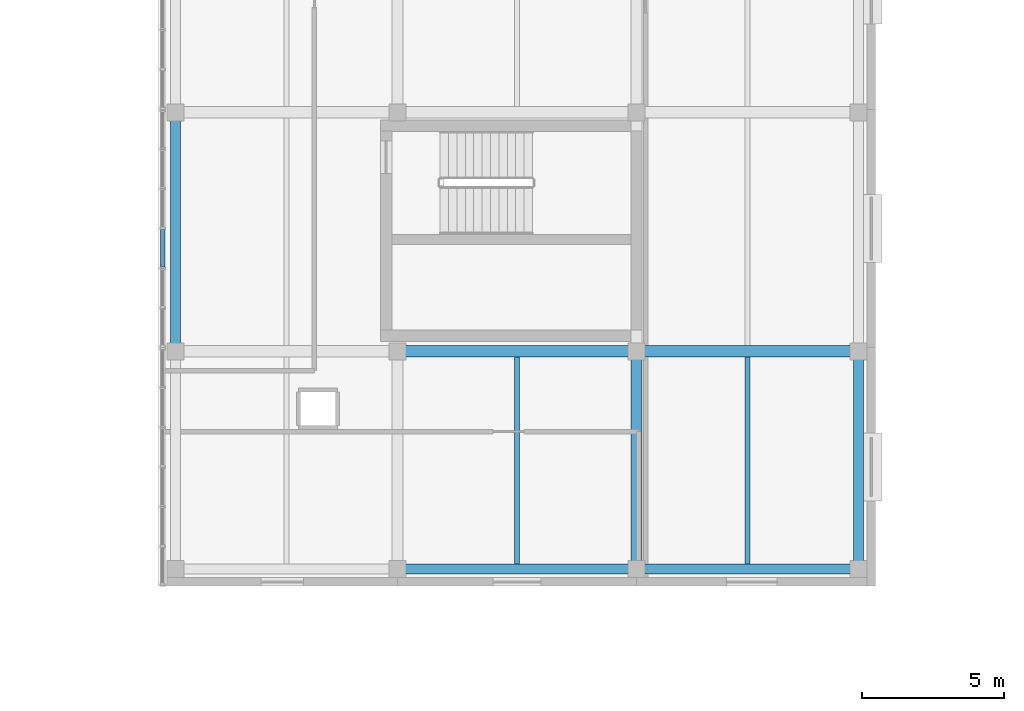
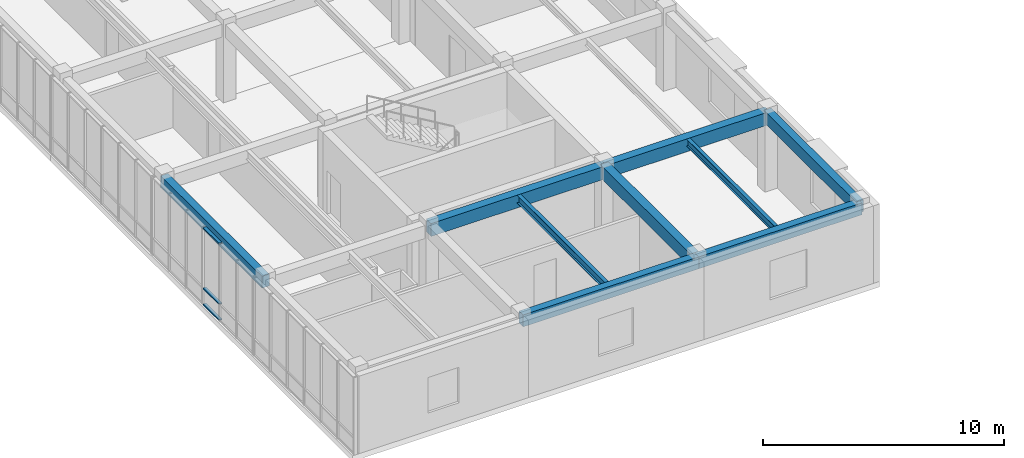
# One storey, part 28 of 123: 9 beams, 3 members, 1 element without a shape of its own.
"""IFC4 building model written with IfcOpenShell, lengths in metres."""

import ifcopenshell
import ifcopenshell.guid

model = None  # the IFC model being written
_history = None  # IfcOwnerHistory: only IFC2X3 demands one
_inside = {}  # id of a spatial element -> (the spatial element, [elements in it])
_under = {}  # id of a project, library or spatial element -> (it, [spatial elements below it])
_declared = {}  # id of a project -> (the project, [libraries it declares])
_typed = {}  # id of a type object -> (the type object, [elements of that type])
_made_of = {}  # id of a material, layer set ... -> (it, [elements and type objects made of it])


def new_model(schema):
    """Start an empty IFC model of exactly this schema.

    Asked for "IFC4X3", IfcOpenShell would pick the latest addendum, in which some entities
    have other attributes; the version numbers below select the first issue.
    IFC2X3 requires an IfcOwnerHistory on every rooted entity: one is made here for all.
    """
    global model, _history
    if schema == "IFC4X3":
        model = ifcopenshell.file(schema_version=(4, 3, 0, 0))
    else:
        model = ifcopenshell.file(schema=schema)
    _inside.clear()
    _under.clear()
    _declared.clear()
    _typed.clear()
    _made_of.clear()
    _history = None
    if model.schema == "IFC2X3":
        org = make("IfcOrganization", Name="unknown")
        user = make(
            "IfcPersonAndOrganization",
            ThePerson=make("IfcPerson", FamilyName="unknown"),
            TheOrganization=org,
        )
        app = make(
            "IfcApplication",
            ApplicationDeveloper=org,
            Version="unknown",
            ApplicationFullName="unknown",
            ApplicationIdentifier="unknown",
        )
        _history = make(
            "IfcOwnerHistory",
            OwningUser=user,
            OwningApplication=app,
            ChangeAction="ADDED",
            CreationDate=0,
        )
    return model


def make(cls, **values):
    """One entity of the class cls with the attributes given. An attribute that is None is left unset."""
    return model.create_entity(
        cls, **{name: value for name, value in values.items() if value is not None}
    )


def rooted(cls, **values):
    """An entity with a GlobalId (a new one), such as an element, a storey or a relation."""
    return make(cls, GlobalId=ifcopenshell.guid.new(), OwnerHistory=_history, **values)


def si_unit(unit_type, name, prefix=None):
    """IfcSIUnit, for example si_unit("LENGTHUNIT", "METRE", prefix="MILLI")."""
    return make("IfcSIUnit", UnitType=unit_type, Prefix=prefix, Name=name)


def assignment(units):
    """IfcUnitAssignment: the units of a project."""
    return None if units is None else make("IfcUnitAssignment", Units=units)


def point(xyz):
    """IfcCartesianPoint."""
    return None if xyz is None else make("IfcCartesianPoint", Coordinates=xyz)


def direction(xyz):
    """IfcDirection."""
    return None if xyz is None else make("IfcDirection", DirectionRatios=xyz)


def frame(location, z_axis=None, x_axis=None):
    """IfcAxis2Placement3D, a coordinate frame: its origin and axes. An axis left out is left unset."""
    return make(
        "IfcAxis2Placement3D",
        Location=point(location),
        Axis=direction(z_axis),
        RefDirection=direction(x_axis),
    )


def frame_2d(location, x_axis=None):
    """IfcAxis2Placement2D, a coordinate frame in the plane: its origin and x axis."""
    return make(
        "IfcAxis2Placement2D", Location=point(location), RefDirection=direction(x_axis)
    )


def origin():
    """The frame at (0, 0, 0) with its axes left unset."""
    return frame((0.0, 0.0, 0.0))


def origin_2d():
    """The frame at (0, 0) in the plane with its x axis left unset."""
    return frame_2d((0.0, 0.0))


def place(relative_to, where):
    """IfcLocalPlacement: puts the frame where relative to a parent placement (None: the world)."""
    return make(
        "IfcLocalPlacement", PlacementRelTo=relative_to, RelativePlacement=where
    )


def context(
    kind, dimensions, precision=None, world=None, true_north=None, identifier=None
):
    """IfcGeometricRepresentationContext, for example the 3D "Model" context."""
    return make(
        "IfcGeometricRepresentationContext",
        ContextIdentifier=identifier,
        ContextType=kind,
        CoordinateSpaceDimension=dimensions,
        Precision=precision,
        WorldCoordinateSystem=world,
        TrueNorth=true_north,
    )


def subcontext(parent, identifier, kind, view, scale=None):
    """IfcGeometricRepresentationSubContext, for example "Body" below "Model"."""
    return make(
        "IfcGeometricRepresentationSubContext",
        ContextIdentifier=identifier,
        ContextType=kind,
        ParentContext=parent,
        TargetScale=scale,
        TargetView=view,
    )


def project(units=None, contexts=None):
    """IfcProject with its units and contexts."""
    return rooted(
        "IfcProject",
        Name="project",
        RepresentationContexts=contexts,
        UnitsInContext=assignment(units),
    )


def spatial(cls, under=None, at=None, **own):
    """A site, building, storey or space (cls), placed at a placement, below another one or the project."""
    s = rooted(cls, ObjectPlacement=at, **own)
    if under is not None:
        _under.setdefault(under.id(), (under, []))[1].append(s)
    return s


def profile(cls, at=None, kind="AREA", **sizes):
    """A parametric profile (cls). Its sizes go by their IFC names, for example OverallWidth=200.0."""
    return make(cls, ProfileType=kind, Position=at, **sizes)


def rectangle(**sizes):
    """IfcRectangleProfileDef."""
    return profile("IfcRectangleProfileDef", **sizes)


def hollow_rectangle(**sizes):
    """IfcRectangleHollowProfileDef."""
    return profile("IfcRectangleHollowProfileDef", **sizes)


def i_section(**sizes):
    """IfcIShapeProfileDef."""
    return profile("IfcIShapeProfileDef", **sizes)


def extrude(swept, where, along, depth):
    """IfcExtrudedAreaSolid: the profile swept, set in the frame where, extruded along a direction by depth."""
    return make(
        "IfcExtrudedAreaSolid",
        SweptArea=swept,
        Position=where,
        ExtrudedDirection=direction(along),
        Depth=depth,
    )


def shape(context_of_items, identifier, shape_type, items):
    """IfcShapeRepresentation: the items that make up one representation, for example the "Body"."""
    return make(
        "IfcShapeRepresentation",
        ContextOfItems=context_of_items,
        RepresentationIdentifier=identifier,
        RepresentationType=shape_type,
        Items=items,
    )


def material(Name=None, Category=None):
    """IfcMaterial."""
    return make("IfcMaterial", Name=Name, Category=Category)


def layer(
    of_material, thickness, ventilated=None, Name=None, Category=None, Priority=None
):
    """IfcMaterialLayer: one layer of a wall or slab, of a material (None: an air gap)."""
    return make(
        "IfcMaterialLayer",
        Material=of_material,
        LayerThickness=thickness,
        IsVentilated=ventilated,
        Name=Name,
        Category=Category,
        Priority=Priority,
    )


def layer_set(layers, Name=None):
    """IfcMaterialLayerSet."""
    return make("IfcMaterialLayerSet", MaterialLayers=layers, LayerSetName=Name)


def material_profile(
    of_material, cross_section, Name=None, Category=None, Priority=None
):
    """IfcMaterialProfile: a cross section and its material."""
    return make(
        "IfcMaterialProfile",
        Name=Name,
        Material=of_material,
        Profile=cross_section,
        Priority=Priority,
        Category=Category,
    )


def profile_set(profiles, Name=None, composite=None):
    """IfcMaterialProfileSet."""
    return make(
        "IfcMaterialProfileSet",
        Name=Name,
        MaterialProfiles=profiles,
        CompositeProfile=composite,
    )


def made_of(thing, what):
    """Note that an element or type object is made of a material, layer set ...; save() writes the relation."""
    if what is not None:
        _made_of.setdefault(what.id(), (what, []))[1].append(thing)
    return thing


def type_object(cls, material=None, **own):
    """A type object (cls), such as IfcWallType, which elements share."""
    return made_of(rooted(cls, **own), material)


def element(
    cls,
    number,
    at=None,
    inside=None,
    cuts=None,
    type_object=None,
    material=None,
    context=None,
    identifier="Body",
    shape_type=None,
    held_by="IfcProductDefinitionShape",
    body=None,
    shapes=None,
    **own,
):
    """One element of the class cls, such as IfcWall. Its Tag is "e" and its number.

    at: its placement. inside: the storey or other place that contains it. cuts: it is an
    opening in that element (IfcRelVoidsElement). A single representation is given by context,
    identifier, shape_type and body (its items); several are given by shapes. held_by: the class
    of the entity that holds the representations. save() writes the other relations.
    """
    e = rooted(cls, Tag="e%d" % number, ObjectPlacement=at, **own)
    if body is not None:
        shapes = [shape(context, identifier, shape_type, body)]
    if shapes is not None:
        e.Representation = make(held_by, Representations=shapes)
    if inside is not None:
        _inside.setdefault(inside.id(), (inside, []))[1].append(e)
    if cuts is not None:
        rooted(
            "IfcRelVoidsElement", RelatingBuildingElement=cuts, RelatedOpeningElement=e
        )
    if type_object is not None:
        _typed.setdefault(type_object.id(), (type_object, []))[1].append(e)
    return made_of(e, material)


def aggregate(whole, parts):
    """IfcRelAggregates: a whole, such as a stair, and the parts it consists of."""
    return rooted("IfcRelAggregates", RelatingObject=whole, RelatedObjects=parts)


def save(model, path):
    """Write the relations noted so far, then the file.

    IfcRelAggregates (storeys below a building ...), IfcRelContainedInSpatialStructure (elements
    in a storey), IfcRelDefinesByType, IfcRelAssociatesMaterial and IfcRelDeclares: one each for
    every whole, place, type object, material and project.
    """
    for whole, parts in _under.values():
        aggregate(whole, parts)
    for where, things in _inside.values():
        rooted(
            "IfcRelContainedInSpatialStructure",
            RelatedElements=things,
            RelatingStructure=where,
        )
    for kind, things in _typed.values():
        rooted("IfcRelDefinesByType", RelatedObjects=things, RelatingType=kind)
    for what, things in _made_of.values():
        rooted("IfcRelAssociatesMaterial", RelatedObjects=things, RelatingMaterial=what)
    for by, libraries in _declared.values():
        rooted("IfcRelDeclares", RelatingContext=by, RelatedDefinitions=libraries)
    model.write(path)


model = new_model("IFC4")

# Units and contexts
model_context = context("Model", 3, precision=1e-05, world=origin(), true_north=direction((0.0, 1.0)))
body_context = subcontext(model_context, "Body", "Model", "MODEL_VIEW")
ifc_project = project(units=[si_unit("LENGTHUNIT", "METRE"), si_unit("AREAUNIT", "SQUARE_METRE"), si_unit("VOLUMEUNIT", "CUBIC_METRE"), si_unit("PLANEANGLEUNIT", "RADIAN"), si_unit("MASSUNIT", "GRAM", prefix="KILO")], contexts=[model_context])

# Site, building, storey
site_placement = place(None, origin())
site = spatial("IfcSite", under=ifc_project, at=site_placement, CompositionType="ELEMENT")
building_placement = place(site_placement, origin())
building = spatial("IfcBuilding", under=site, at=building_placement, Name="Zayran Congress Hotel", CompositionType="ELEMENT")
storey_placement = place(building_placement, frame((0.0, 0.0, 15.0)))
storey = spatial("IfcBuildingStorey", under=building, at=storey_placement, Name="L03", CompositionType="ELEMENT", Elevation=15.0)

# Beams
ifc_material_1 = material(Name="Concrete C40/50", Category="concrete")
ifc_material_profile_1 = material_profile(ifc_material_1, rectangle(XDim=0.39990234375, YDim=0.64990234375, at=origin_2d()), Name="RC 400x650")
ifc_profile_set_1 = profile_set([ifc_material_profile_1], Name="Concrete C40/50")
beam_type_1 = type_object("IfcBeamType", Name="TP-BM-03", PredefinedType="BEAM", material=ifc_profile_set_1)
beam_1_placement = place(storey_placement, frame((117.60009765625, 50.800048828125, 3.594970703125), z_axis=(1.0, 0.0, 0.0), x_axis=(0.0, 1.0, 0.0)))
element("IfcBeam", 1, at=beam_1_placement, inside=storey, type_object=beam_type_1, Name="BM-V4-L03-1495", PredefinedType="BEAM", context=body_context, shape_type="SweptSolid", body=[
    extrude(rectangle(XDim=0.39990234375, YDim=0.64990234375, at=origin_2d()), origin(), (0.0, 0.0, 1.0), 8.39990234375),
])
beam_2_placement = place(storey_placement, frame((126.0, 50.800048828125, 3.594970703125), z_axis=(1.0, 0.0, 0.0), x_axis=(0.0, 1.0, 0.0)))
element("IfcBeam", 2, at=beam_2_placement, inside=storey, type_object=beam_type_1, Name="BM-V4-L03-1496", PredefinedType="BEAM", context=body_context, shape_type="SweptSolid", body=[
    extrude(rectangle(XDim=0.39990234375, YDim=0.64990234375, at=origin_2d()), origin(), (0.0, 0.0, 1.0), 7.800048828125),
])
beam_3_placement = place(storey_placement, frame((126.0, 43.14990234375, 3.594970703125), z_axis=(0.0, 1.0, 0.0), x_axis=(-1.0, 0.0, 0.0)))
element("IfcBeam", 3, at=beam_3_placement, inside=storey, type_object=beam_type_1, Name="BM-V4-L03-1527", PredefinedType="BEAM", context=body_context, shape_type="SweptSolid", body=[
    extrude(rectangle(XDim=0.39990234375, YDim=0.64990234375, at=origin_2d()), origin(), (0.0, 0.0, 1.0), 7.650146484375),
])
ifc_material_profile_2 = material_profile(ifc_material_1, rectangle(XDim=0.35009765625, YDim=0.60009765625, at=origin_2d()), Name="RC 350x600")
ifc_profile_set_2 = profile_set([ifc_material_profile_2], Name="Concrete C40/50")
beam_type_2 = type_object("IfcBeamType", Name="TP-SP-01", PredefinedType="SPANDREL", material=ifc_profile_set_2)
beam_4_placement = place(storey_placement, frame((117.60009765625, 43.14990234375, 3.6201171875), z_axis=(1.0, 0.0, 0.0), x_axis=(0.0, 1.0, 0.0)))
element("IfcBeam", 4, at=beam_4_placement, inside=storey, type_object=beam_type_2, Name="BM-V4-L03-1492", PredefinedType="SPANDREL", context=body_context, shape_type="SweptSolid", body=[
    extrude(rectangle(XDim=0.35009765625, YDim=0.60009765625, at=origin_2d()), origin(), (0.0, 0.0, 1.0), 8.39990234375),
])
beam_5_placement = place(storey_placement, frame((126.0, 43.14990234375, 3.6201171875), z_axis=(1.0, 0.0, 0.0), x_axis=(0.0, 1.0, 0.0)))
element("IfcBeam", 5, at=beam_5_placement, inside=storey, type_object=beam_type_2, Name="BM-V4-L03-1493", PredefinedType="SPANDREL", context=body_context, shape_type="SweptSolid", body=[
    extrude(rectangle(XDim=0.35009765625, YDim=0.60009765625, at=origin_2d()), origin(), (0.0, 0.0, 1.0), 7.800048828125),
])
beam_6_placement = place(storey_placement, frame((109.800048828125, 50.800048828125, 3.6201171875), z_axis=(0.0, 1.0, 0.0), x_axis=(-1.0, 0.0, 0.0)))
element("IfcBeam", 6, at=beam_6_placement, inside=storey, type_object=beam_type_2, Name="BM-V4-L03-1516", PredefinedType="SPANDREL", context=body_context, shape_type="SweptSolid", body=[
    extrude(rectangle(XDim=0.35009765625, YDim=0.60009765625, at=origin_2d()), origin(), (0.0, 0.0, 1.0), 8.39990234375),
])
beam_7_placement = place(storey_placement, frame((133.800048828125, 43.14990234375, 3.6201171875), z_axis=(0.0, 1.0, 0.0), x_axis=(-1.0, 0.0, 0.0)))
element("IfcBeam", 7, at=beam_7_placement, inside=storey, type_object=beam_type_2, Name="BM-V4-L03-1534", PredefinedType="SPANDREL", context=body_context, shape_type="SweptSolid", body=[
    extrude(rectangle(XDim=0.35009765625, YDim=0.60009765625, at=origin_2d()), origin(), (0.0, 0.0, 1.0), 7.650146484375),
])
ifc_material_2 = material(Name="Steel S355", Category="steel")
ifc_material_profile_3 = material_profile(ifc_material_2, i_section(OverallWidth=0.179931640625, OverallDepth=0.39990234375, WebThickness=0.008544921875, FlangeThickness=0.013427734375, at=origin_2d()), Name="IPE 400")
ifc_profile_set_3 = profile_set([ifc_material_profile_3], Name="Steel S355")
beam_type_3 = type_object("IfcBeamType", Name="TP-JS-03", PredefinedType="JOIST", material=ifc_profile_set_3)
beam_8_placement = place(storey_placement, frame((121.800048828125, 43.324951171875, 3.719970703125), z_axis=(0.0, 1.0, 0.0), x_axis=(-1.0, 0.0, 0.0)))
element("IfcBeam", 8, at=beam_8_placement, inside=storey, type_object=beam_type_3, Name="JST-V4-L03-1548", PredefinedType="JOIST", context=body_context, shape_type="SweptSolid", body=[
    extrude(i_section(OverallWidth=0.179931640625, OverallDepth=0.39990234375, WebThickness=0.008544921875, FlangeThickness=0.013427734375, at=origin_2d()), origin(), (0.0, 0.0, 1.0), 7.275146484375),
])
ifc_material_profile_4 = material_profile(ifc_material_2, i_section(OverallWidth=0.169921875, OverallDepth=0.360107421875, WebThickness=0.008056640625, FlangeThickness=0.0126953125, at=origin_2d()), Name="IPE 360")
ifc_profile_set_4 = profile_set([ifc_material_profile_4], Name="Steel S355")
beam_type_4 = type_object("IfcBeamType", Name="TP-JS-04", PredefinedType="JOIST", material=ifc_profile_set_4)
beam_9_placement = place(storey_placement, frame((129.89990234375, 43.324951171875, 3.739990234375), z_axis=(0.0, 1.0, 0.0), x_axis=(-1.0, 0.0, 0.0)))
element("IfcBeam", 9, at=beam_9_placement, inside=storey, type_object=beam_type_4, Name="JST-V4-L03-1553", PredefinedType="JOIST", context=body_context, shape_type="SweptSolid", body=[
    extrude(i_section(OverallWidth=0.169921875, OverallDepth=0.360107421875, WebThickness=0.008056640625, FlangeThickness=0.0126953125, at=origin_2d()), origin(), (0.0, 0.0, 1.0), 7.275146484375),
])

# Curtain wall, members
ifc_material_3 = material(Name="Anodised aluminium and low-E insulated glass", Category="aluminium")
ifc_layer = layer(ifc_material_3, 0.179931640625)
ifc_layer_set = layer_set([ifc_layer], Name="Anodised aluminium and low-E insulated glass")
curtain_wall_type = type_object("IfcCurtainWallType", Name="CW-V4W-L03-CW-52-8368-3920", PredefinedType="USERDEFINED", material=ifc_layer_set)
curtain_wall_placement = place(storey_placement, origin())
curtain_wall = element("IfcCurtainWall", 10, at=curtain_wall_placement, inside=storey, type_object=curtain_wall_type, Name="CW-V4W-L03-1", ObjectType="CURTAIN WALL", PredefinedType="USERDEFINED")
ifc_material_4 = material(Name="Anodised aluminium framing", Category="aluminium")
ifc_material_profile_5 = material_profile(ifc_material_4, hollow_rectangle(XDim=0.06005859375, YDim=0.14990234375, WallThickness=0.00390625, at=origin_2d()), Name="RHS 150x60x4")
ifc_profile_set_5 = profile_set([ifc_material_profile_5], Name="Anodised aluminium framing")
member_type = type_object("IfcMemberType", Name="TP-CWT-01", PredefinedType="USERDEFINED", material=ifc_profile_set_5)
member_1_placement = place(storey_placement, frame((109.35009765625, 55.077880859375, 0.030029296875), z_axis=(0.0, -1.0, 0.0), x_axis=(0.0, 0.0, 1.0)))
member_1 = element("IfcMember", 11, at=member_1_placement, type_object=member_type, Name="CW-V4W-L03-1-T03-0", ObjectType="TRANSOM", PredefinedType="USERDEFINED", context=body_context, shape_type="SweptSolid", body=[
    extrude(hollow_rectangle(XDim=0.06005859375, YDim=0.14990234375, WallThickness=0.00390625, at=origin_2d()), origin(), (0.0, 0.0, 1.0), 1.314697265625),
])
member_2_placement = place(storey_placement, frame((109.35009765625, 55.077880859375, 0.840087890625), z_axis=(0.0, -1.0, 0.0), x_axis=(0.0, 0.0, 1.0)))
member_2 = element("IfcMember", 12, at=member_2_placement, type_object=member_type, Name="CW-V4W-L03-1-T03-1", ObjectType="TRANSOM", PredefinedType="USERDEFINED", context=body_context, shape_type="SweptSolid", body=[
    extrude(hollow_rectangle(XDim=0.06005859375, YDim=0.14990234375, WallThickness=0.00390625, at=origin_2d()), origin(), (0.0, 0.0, 1.0), 1.314697265625),
])
member_3_placement = place(storey_placement, frame((109.35009765625, 55.077880859375, 3.889892578125), z_axis=(0.0, -1.0, 0.0), x_axis=(0.0, 0.0, 1.0)))
member_3 = element("IfcMember", 13, at=member_3_placement, type_object=member_type, Name="CW-V4W-L03-1-T03-2", ObjectType="TRANSOM", PredefinedType="USERDEFINED", context=body_context, shape_type="SweptSolid", body=[
    extrude(hollow_rectangle(XDim=0.06005859375, YDim=0.14990234375, WallThickness=0.00390625, at=origin_2d()), origin(), (0.0, 0.0, 1.0), 1.314697265625),
])
aggregate(curtain_wall, [member_1, member_2, member_3])

save(model, "model.ifc")
